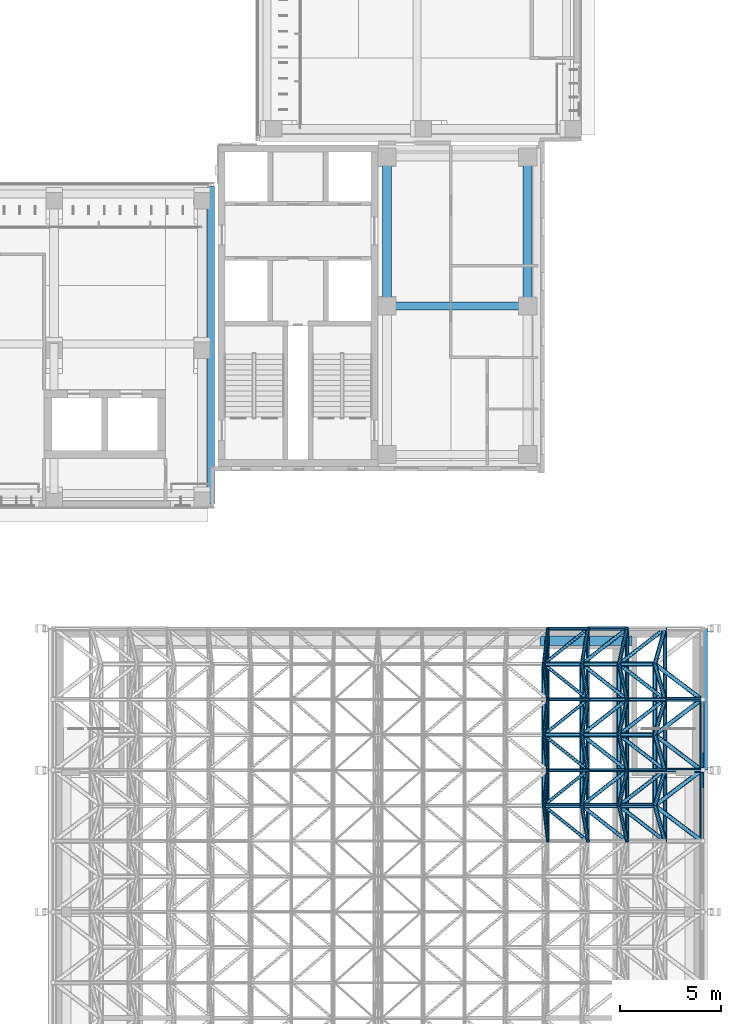
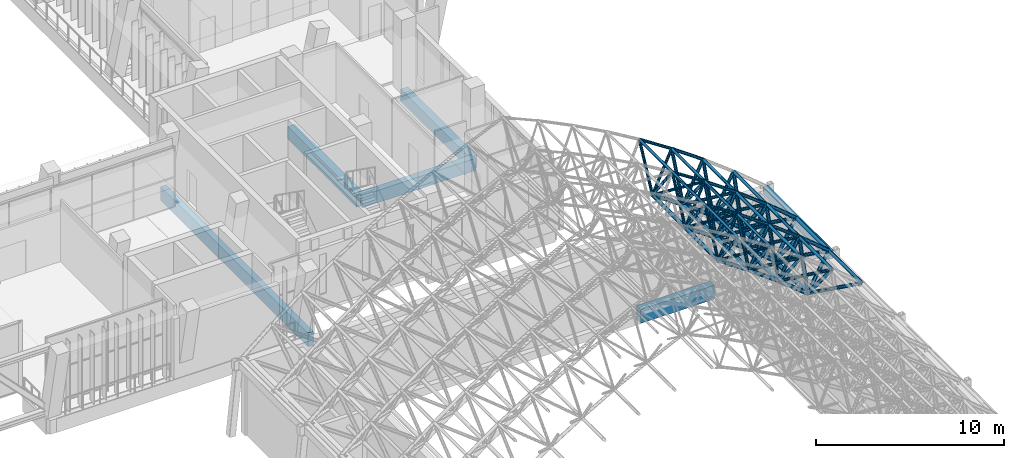
# One storey, part 57 of 141: 88 members, 6 beams.
"""IFC4 building model written with IfcOpenShell, lengths in metres."""

from ifc_helpers import new_model, si_unit, direction, frame, origin, origin_2d, place, context, subcontext, project, spatial, rectangle, hollow_rectangle, hollow_circle, extrude, material, material_profile, profile_set, type_object, element, save


model = new_model("IFC4")

# Units and contexts
model_context = context("Model", 3, precision=1e-05, world=origin(), true_north=direction((0.0, 1.0)))
body_context = subcontext(model_context, "Body", "Model", "MODEL_VIEW")
ifc_project = project(units=[si_unit("LENGTHUNIT", "METRE"), si_unit("AREAUNIT", "SQUARE_METRE"), si_unit("VOLUMEUNIT", "CUBIC_METRE"), si_unit("PLANEANGLEUNIT", "RADIAN"), si_unit("MASSUNIT", "GRAM", prefix="KILO")], contexts=[model_context])

# Site, building, storey
site_placement = place(None, origin())
site = spatial("IfcSite", under=ifc_project, at=site_placement, CompositionType="ELEMENT")
building_placement = place(site_placement, origin())
building = spatial("IfcBuilding", under=site, at=building_placement, Name="Lantern Court Media Centre", CompositionType="ELEMENT")
storey_placement = place(building_placement, frame((0.0, 0.0, 9.60009765625)))
storey = spatial("IfcBuildingStorey", under=building, at=storey_placement, Name="L02", CompositionType="ELEMENT", Elevation=9.60009765625)

# Beams
ifc_material_1 = material(Name="Concrete C35", Category="concrete")
ifc_material_profile_1 = material_profile(ifc_material_1, rectangle(XDim=0.35009765625, YDim=0.89990234375, at=origin_2d()), Name="RC 350x900")
ifc_profile_set_1 = profile_set([ifc_material_profile_1], Name="Concrete C35")
beam_type_1 = type_object("IfcBeamType", Name="RC BEAM 350x900", PredefinedType="BEAM", material=ifc_profile_set_1)
beam_1_placement = place(storey_placement, frame((79.75, 46.14990234375, -0.4501953125), z_axis=(0.0, 1.0, 0.0), x_axis=(-1.0, 0.0, 0.0)))
element("IfcBeam", 1, at=beam_1_placement, inside=storey, type_object=beam_type_1, Name="EB-S-L02-D", PredefinedType="BEAM", context=body_context, shape_type="SweptSolid", body=[
    extrude(rectangle(XDim=0.35009765625, YDim=0.89990234375, at=origin_2d()), origin(), (0.0, 0.0, 1.0), 15.7001953125),
])
ifc_material_profile_2 = material_profile(ifc_material_1, rectangle(XDim=0.39990234375, YDim=0.800048828125, at=origin_2d()), Name="RC 400x800")
ifc_profile_set_2 = profile_set([ifc_material_profile_2], Name="Concrete C35")
beam_type_2 = type_object("IfcBeamType", Name="RC BEAM 400x800", PredefinedType="BEAM", material=ifc_profile_set_2)
beam_2_placement = place(storey_placement, frame((88.449951171875, 55.949951171875, -0.400146484375), z_axis=(1.0, 0.0, 0.0), x_axis=(0.0, 1.0, 0.0)))
element("IfcBeam", 2, at=beam_2_placement, inside=storey, type_object=beam_type_2, Name="BB-SE-L02-Y0-55", PredefinedType="BEAM", context=body_context, shape_type="SweptSolid", body=[
    extrude(rectangle(XDim=0.39990234375, YDim=0.800048828125, at=origin_2d()), origin(), (0.0, 0.0, 1.0), 6.949951171875),
])
ifc_material_profile_3 = material_profile(ifc_material_1, rectangle(XDim=0.449951171875, YDim=0.800048828125, at=origin_2d()), Name="RC 450x800")
ifc_profile_set_3 = profile_set([ifc_material_profile_3], Name="Concrete C35")
beam_type_3 = type_object("IfcBeamType", Name="RC BEAM 450x800", PredefinedType="BEAM", material=ifc_profile_set_3)
for number, where, z_axis, x_axis, name in (
    (3, (88.449951171875, 55.949951171875, -0.400146484375), (0.0, 1.0, 0.0), (-1.0, 0.0, 0.0), "BB-SE-L02-X1-88"),
    (4, (95.39990234375, 55.949951171875, -0.400146484375), (0.0, 1.0, 0.0), (-1.0, 0.0, 0.0), "BB-SE-L02-X1-95"),
):
    element("IfcBeam", number, at=place(storey_placement, frame(where, z_axis=z_axis, x_axis=x_axis)), inside=storey, type_object=beam_type_3, Name=name, PredefinedType="BEAM", context=body_context, shape_type="SweptSolid", body=[
        extrude(rectangle(XDim=0.449951171875, YDim=0.800048828125, at=origin_2d()), origin(), (0.0, 0.0, 1.0), 7.35009765625),
    ])
ifc_material_profile_4 = material_profile(ifc_material_1, rectangle(XDim=0.449951171875, YDim=0.89990234375, at=origin_2d()), Name="RC 450x900")
ifc_profile_set_4 = profile_set([ifc_material_profile_4], Name="Concrete C35")
beam_type_4 = type_object("IfcBeamType", Name="RC BEAM 450x900", PredefinedType="BEAM", material=ifc_profile_set_4)
beam_3_placement = place(storey_placement, frame((96.0, 39.39990234375, -0.4501953125), z_axis=(1.0, 0.0, 0.0), x_axis=(0.0, 1.0, 0.0)))
element("IfcBeam", 5, at=beam_3_placement, inside=storey, type_object=beam_type_4, Name="HB-V2-L02-FX6-3", PredefinedType="BEAM", context=body_context, shape_type="SweptSolid", body=[
    extrude(rectangle(XDim=0.449951171875, YDim=0.89990234375, at=origin_2d()), origin(), (0.0, 0.0, 1.0), 4.550048828125),
])

# Members
ifc_material_2 = material(Name="Steel S355J2 (EN 10025-2)", Category="steel")
ifc_material_profile_5 = material_profile(ifc_material_2, hollow_circle(Radius=0.109619140625, WallThickness=0.010009765625, at=origin_2d()), Name="Studio Hall bottom CHS 219.1x10")
ifc_profile_set_5 = profile_set([ifc_material_profile_5], Name="Steel S355J2 (EN 10025-2)")
member_type_1 = type_object("IfcMemberType", Name="Studio Hall bottom CHS 219.1x10", PredefinedType="CHORD", material=ifc_profile_set_5)
for number, where, z_axis, x_axis, name in (
    (6, (96.19091796875, 31.25, 7.953125), (0.0, 1.0, 0.0), (-1.0, 0.0, 0.0), "Studio Hall bottom chord 13-10"),
    (7, (96.19091796875, 34.75, 7.953125), (0.0, 1.0, 0.0), (-1.0, 0.0, 0.0), "Studio Hall bottom chord 13-11"),
):
    element("IfcMember", number, at=place(storey_placement, frame(where, z_axis=z_axis, x_axis=x_axis)), inside=storey, type_object=member_type_1, Name=name, PredefinedType="CHORD", context=body_context, shape_type="SweptSolid", body=[
        extrude(hollow_circle(Radius=0.109619140625, WallThickness=0.010009765625, at=origin_2d()), origin(), (0.0, 0.0, 1.0), 3.5),
    ])
ifc_material_profile_6 = material_profile(ifc_material_2, hollow_circle(Radius=0.122314453125, WallThickness=0.012451171875, at=origin_2d()), Name="Studio Hall bottom CHS 244.5x12.5")
ifc_profile_set_6 = profile_set([ifc_material_profile_6], Name="Steel S355J2 (EN 10025-2)")
member_type_2 = type_object("IfcMemberType", Name="Studio Hall bottom CHS 244.5x12.5", PredefinedType="CHORD", material=ifc_profile_set_6)
for number, where, z_axis, x_axis, name in (
    (8, (98.076171875, 31.25, 6.66845703125), (0.0, 1.0, 0.0), (-1.0, 0.0, 0.0), "Studio Hall bottom chord 14-10"),
    (9, (98.076171875, 34.75, 6.66845703125), (0.0, 1.0, 0.0), (-1.0, 0.0, 0.0), "Studio Hall bottom chord 14-11"),
):
    element("IfcMember", number, at=place(storey_placement, frame(where, z_axis=z_axis, x_axis=x_axis)), inside=storey, type_object=member_type_2, Name=name, PredefinedType="CHORD", context=body_context, shape_type="SweptSolid", body=[
        extrude(hollow_circle(Radius=0.122314453125, WallThickness=0.012451171875, at=origin_2d()), origin(), (0.0, 0.0, 1.0), 3.5),
    ])
for number, where, z_axis, x_axis, name in (
    (10, (96.19091796875, 31.25, 7.953125), (0.826376743552, 0.0, -0.563117641099), (0.0, 1.0, 0.0), "Studio Hall bottom chord 13-10 across"),
    (11, (96.19091796875, 34.75, 7.953125), (0.826376743552, 0.0, -0.563117641099), (0.0, 1.0, 0.0), "Studio Hall bottom chord 13-11 across"),
    (12, (96.19091796875, 38.25, 7.953125), (0.826376743552, 0.0, -0.563117641099), (0.0, 1.0, 0.0), "Studio Hall bottom chord 13-12 across"),
):
    element("IfcMember", number, at=place(storey_placement, frame(where, z_axis=z_axis, x_axis=x_axis)), inside=storey, type_object=member_type_2, Name=name, PredefinedType="CHORD", context=body_context, shape_type="SweptSolid", body=[
        extrude(hollow_circle(Radius=0.122314453125, WallThickness=0.012451171875, at=origin_2d()), origin(), (0.0, 0.0, 1.0), 2.28125),
    ])
ifc_material_profile_7 = material_profile(ifc_material_2, hollow_circle(Radius=0.122314453125, WallThickness=0.01611328125, at=origin_2d()), Name="Studio Hall bottom CHS 244.5x16")
ifc_profile_set_7 = profile_set([ifc_material_profile_7], Name="Steel S355J2 (EN 10025-2)")
member_type_3 = type_object("IfcMemberType", Name="Studio Hall bottom CHS 244.5x16", PredefinedType="CHORD", material=ifc_profile_set_7)
for number, where, z_axis, x_axis, name in (
    (13, (99.909423828125, 31.25, 5.310546875), (0.0, 1.0, 0.0), (-1.0, 0.0, 0.0), "Studio Hall bottom chord 15-10"),
    (14, (99.909423828125, 34.75, 5.310546875), (0.0, 1.0, 0.0), (-1.0, 0.0, 0.0), "Studio Hall bottom chord 15-11"),
):
    element("IfcMember", number, at=place(storey_placement, frame(where, z_axis=z_axis, x_axis=x_axis)), inside=storey, type_object=member_type_3, Name=name, PredefinedType="CHORD", context=body_context, shape_type="SweptSolid", body=[
        extrude(hollow_circle(Radius=0.122314453125, WallThickness=0.01611328125, at=origin_2d()), origin(), (0.0, 0.0, 1.0), 3.5),
    ])
for number, where, z_axis, x_axis, name in (
    (15, (98.076171875, 31.25, 6.66845703125), (0.803568567589, 0.0, -0.59521219509), (0.0, 1.0, 0.0), "Studio Hall bottom chord 14-10 across"),
    (16, (98.076171875, 34.75, 6.66845703125), (0.803568567589, 0.0, -0.59521219509), (0.0, 1.0, 0.0), "Studio Hall bottom chord 14-11 across"),
    (17, (98.076171875, 38.25, 6.66845703125), (0.803568567589, 0.0, -0.59521219509), (0.0, 1.0, 0.0), "Studio Hall bottom chord 14-12 across"),
):
    element("IfcMember", number, at=place(storey_placement, frame(where, z_axis=z_axis, x_axis=x_axis)), inside=storey, type_object=member_type_3, Name=name, PredefinedType="CHORD", context=body_context, shape_type="SweptSolid", body=[
        extrude(hollow_circle(Radius=0.122314453125, WallThickness=0.01611328125, at=origin_2d()), origin(), (0.0, 0.0, 1.0), 2.281494140625),
    ])
ifc_material_profile_8 = material_profile(ifc_material_2, hollow_circle(Radius=0.122314453125, WallThickness=0.02001953125, at=origin_2d()), Name="Studio Hall bottom CHS 244.5x20")
ifc_profile_set_8 = profile_set([ifc_material_profile_8], Name="Steel S355J2 (EN 10025-2)")
member_type_4 = type_object("IfcMemberType", Name="Studio Hall bottom CHS 244.5x20", PredefinedType="CHORD", material=ifc_profile_set_8)
for number, where, z_axis, x_axis, name in (
    (18, (101.6875, 31.25, 3.881591796875), (0.0, 1.0, 0.0), (-1.0, 0.0, 0.0), "Studio Hall bottom chord 16-10"),
    (19, (101.6875, 34.75, 3.881591796875), (0.0, 1.0, 0.0), (-1.0, 0.0, 0.0), "Studio Hall bottom chord 16-11"),
):
    element("IfcMember", number, at=place(storey_placement, frame(where, z_axis=z_axis, x_axis=x_axis)), inside=storey, type_object=member_type_4, Name=name, PredefinedType="CHORD", context=body_context, shape_type="SweptSolid", body=[
        extrude(hollow_circle(Radius=0.122314453125, WallThickness=0.02001953125, at=origin_2d()), origin(), (0.0, 0.0, 1.0), 3.5),
    ])
for number, where, z_axis, x_axis, name in (
    (20, (99.909423828125, 31.25, 5.310546875), (0.779478138425, 0.0, -0.626429430757), (0.0, 1.0, 0.0), "Studio Hall bottom chord 15-10 across"),
    (21, (99.909423828125, 34.75, 5.310546875), (0.779478138425, 0.0, -0.626429430757), (0.0, 1.0, 0.0), "Studio Hall bottom chord 15-11 across"),
    (22, (99.909423828125, 38.25, 5.310546875), (0.779478138425, 0.0, -0.626429430757), (0.0, 1.0, 0.0), "Studio Hall bottom chord 15-12 across"),
):
    element("IfcMember", number, at=place(storey_placement, frame(where, z_axis=z_axis, x_axis=x_axis)), inside=storey, type_object=member_type_4, Name=name, PredefinedType="CHORD", context=body_context, shape_type="SweptSolid", body=[
        extrude(hollow_circle(Radius=0.122314453125, WallThickness=0.02001953125, at=origin_2d()), origin(), (0.0, 0.0, 1.0), 2.281005859375),
    ])
ifc_material_profile_9 = material_profile(ifc_material_2, hollow_circle(Radius=0.084228515625, WallThickness=0.008056640625, at=origin_2d()), Name="Studio Hall diagonal CHS 168.3x8")
ifc_profile_set_9 = profile_set([ifc_material_profile_9], Name="Steel S355J2 (EN 10025-2)")
member_type_5 = type_object("IfcMemberType", Name="Studio Hall diagonal CHS 168.3x8", PredefinedType="BRACE", material=ifc_profile_set_9)
for number, where, z_axis, x_axis, name in (
    (23, (96.19091796875, 31.25, 7.953125), (0.067256187735, -0.575289204878, 0.815180308865), (0.993235466132, 0.116117650756, 0.0), "Studio Hall diagonal 13-10-1"),
    (24, (96.19091796875, 31.25, 7.953125), (0.719205791884, -0.57530042587, 0.38957983638), (0.624652537065, 0.780902815937, 0.0), "Studio Hall diagonal 13-10-2"),
    (25, (96.19091796875, 31.25, 7.953125), (0.719205791884, 0.57530042587, 0.38957983638), (-0.624652537065, 0.780902815937, 0.0), "Studio Hall diagonal 13-10-3"),
    (26, (96.19091796875, 31.25, 7.953125), (0.067256187735, 0.575289204878, 0.815180308865), (-0.993235466132, 0.116117650756, 0.0), "Studio Hall diagonal 13-10-4"),
    (27, (96.19091796875, 34.75, 7.953125), (0.067256187735, -0.575289204878, 0.815180308865), (0.993235466132, 0.116117650756, 0.0), "Studio Hall diagonal 13-11-1"),
    (28, (96.19091796875, 34.75, 7.953125), (0.719205791884, -0.57530042587, 0.38957983638), (0.624652537065, 0.780902815937, 0.0), "Studio Hall diagonal 13-11-2"),
    (29, (96.19091796875, 34.75, 7.953125), (0.719205791884, 0.57530042587, 0.38957983638), (-0.624652537065, 0.780902815937, 0.0), "Studio Hall diagonal 13-11-3"),
    (30, (96.19091796875, 34.75, 7.953125), (0.067256187735, 0.575289204878, 0.815180308865), (-0.993235466132, 0.116117650756, 0.0), "Studio Hall diagonal 13-11-4"),
    (31, (96.19091796875, 38.25, 7.953125), (0.067256187735, -0.575289204878, 0.815180308865), (0.993235466132, 0.116117650756, 0.0), "Studio Hall diagonal 13-12-1"),
    (32, (96.19091796875, 38.25, 7.953125), (0.719205791884, -0.57530042587, 0.38957983638), (0.624652537065, 0.780902815937, 0.0), "Studio Hall diagonal 13-12-2"),
    (33, (96.19091796875, 38.25, 7.953125), (0.719205791884, 0.57530042587, 0.38957983638), (-0.624652537065, 0.780902815937, 0.0), "Studio Hall diagonal 13-12-3"),
    (34, (96.19091796875, 38.25, 7.953125), (0.067256187735, 0.575289204878, 0.815180308865), (-0.993235466132, 0.116117650756, 0.0), "Studio Hall diagonal 13-12-4"),
):
    element("IfcMember", number, at=place(storey_placement, frame(where, z_axis=z_axis, x_axis=x_axis)), inside=storey, type_object=member_type_5, Name=name, PredefinedType="BRACE", context=body_context, shape_type="SweptSolid", body=[
        extrude(hollow_circle(Radius=0.084228515625, WallThickness=0.008056640625, at=origin_2d()), origin(), (0.0, 0.0, 1.0), 3.0419921875),
    ])
ifc_material_profile_10 = material_profile(ifc_material_2, hollow_circle(Radius=0.096923828125, WallThickness=0.010009765625, at=origin_2d()), Name="Studio Hall diagonal CHS 193.7x10")
ifc_profile_set_10 = profile_set([ifc_material_profile_10], Name="Steel S355J2 (EN 10025-2)")
member_type_6 = type_object("IfcMemberType", Name="Studio Hall diagonal CHS 193.7x10", PredefinedType="BRACE", material=ifc_profile_set_10)
for number, where, z_axis, x_axis, name in (
    (35, (99.909423828125, 31.25, 5.310546875), (0.13137534314, -0.575258680284, 0.807352444706), (0.97489985117, 0.222643841569, 0.0), "Studio Hall diagonal 15-10-1"),
    (36, (99.909423828125, 31.25, 5.310546875), (0.747676961141, -0.575284291269, 0.331703400644), (0.609809429153, 0.792548080634, 0.0), "Studio Hall diagonal 15-10-2"),
    (37, (99.909423828125, 31.25, 5.310546875), (0.747676961141, 0.575284291269, 0.331703400644), (-0.609809429153, 0.792548080634, 0.0), "Studio Hall diagonal 15-10-3"),
    (38, (99.909423828125, 31.25, 5.310546875), (0.13137534314, 0.575258680284, 0.807352444706), (-0.97489985117, 0.222643841569, 0.0), "Studio Hall diagonal 15-10-4"),
    (39, (99.909423828125, 34.75, 5.310546875), (0.13137534314, -0.575258680284, 0.807352444706), (0.97489985117, 0.222643841569, 0.0), "Studio Hall diagonal 15-11-1"),
    (40, (99.909423828125, 34.75, 5.310546875), (0.747676961141, -0.575284291269, 0.331703400644), (0.609809429153, 0.792548080634, 0.0), "Studio Hall diagonal 15-11-2"),
    (41, (99.909423828125, 34.75, 5.310546875), (0.747676961141, 0.575284291269, 0.331703400644), (-0.609809429153, 0.792548080634, 0.0), "Studio Hall diagonal 15-11-3"),
    (42, (99.909423828125, 34.75, 5.310546875), (0.13137534314, 0.575258680284, 0.807352444706), (-0.97489985117, 0.222643841569, 0.0), "Studio Hall diagonal 15-11-4"),
    (43, (99.909423828125, 38.25, 5.310546875), (0.13137534314, -0.575258680284, 0.807352444706), (0.97489985117, 0.222643841569, 0.0), "Studio Hall diagonal 15-12-1"),
    (44, (99.909423828125, 38.25, 5.310546875), (0.747676961141, -0.575284291269, 0.331703400644), (0.609809429153, 0.792548080634, 0.0), "Studio Hall diagonal 15-12-2"),
    (45, (99.909423828125, 38.25, 5.310546875), (0.747676961141, 0.575284291269, 0.331703400644), (-0.609809429153, 0.792548080634, 0.0), "Studio Hall diagonal 15-12-3"),
    (46, (99.909423828125, 38.25, 5.310546875), (0.13137534314, 0.575258680284, 0.807352444706), (-0.97489985117, 0.222643841569, 0.0), "Studio Hall diagonal 15-12-4"),
):
    element("IfcMember", number, at=place(storey_placement, frame(where, z_axis=z_axis, x_axis=x_axis)), inside=storey, type_object=member_type_6, Name=name, PredefinedType="BRACE", context=body_context, shape_type="SweptSolid", body=[
        extrude(hollow_circle(Radius=0.096923828125, WallThickness=0.010009765625, at=origin_2d()), origin(), (0.0, 0.0, 1.0), 3.0419921875),
    ])
ifc_material_profile_11 = material_profile(ifc_material_2, hollow_circle(Radius=0.096923828125, WallThickness=0.008056640625, at=origin_2d()), Name="Studio Hall diagonal CHS 193.7x8")
ifc_profile_set_11 = profile_set([ifc_material_profile_11], Name="Steel S355J2 (EN 10025-2)")
member_type_7 = type_object("IfcMemberType", Name="Studio Hall diagonal CHS 193.7x8", PredefinedType="BRACE", material=ifc_profile_set_11)
for number, where, z_axis, x_axis, name in (
    (47, (98.076171875, 31.25, 6.66845703125), (0.099439098635, -0.575286084759, 0.811885328323), (0.985387799185, 0.170325820758, 0.0), "Studio Hall diagonal 14-10-1"),
    (48, (98.076171875, 31.25, 6.66845703125), (0.734005385991, -0.57526247614, 0.360983624118), (0.616855729008, 0.787076241282, 0.0), "Studio Hall diagonal 14-10-2"),
    (49, (98.076171875, 31.25, 6.66845703125), (0.734005385991, 0.57526247614, 0.360983624118), (-0.616855729008, 0.787076241282, 0.0), "Studio Hall diagonal 14-10-3"),
    (50, (98.076171875, 31.25, 6.66845703125), (0.099439098635, 0.575286084759, 0.811885328323), (-0.985387799185, 0.170325820758, 0.0), "Studio Hall diagonal 14-10-4"),
    (51, (98.076171875, 34.75, 6.66845703125), (0.099439098635, -0.575286084759, 0.811885328323), (0.985387799185, 0.170325820758, 0.0), "Studio Hall diagonal 14-11-1"),
    (52, (98.076171875, 34.75, 6.66845703125), (0.734005385991, -0.57526247614, 0.360983624118), (0.616855729008, 0.787076241282, 0.0), "Studio Hall diagonal 14-11-2"),
    (53, (98.076171875, 34.75, 6.66845703125), (0.734005385991, 0.57526247614, 0.360983624118), (-0.616855729008, 0.787076241282, 0.0), "Studio Hall diagonal 14-11-3"),
    (54, (98.076171875, 34.75, 6.66845703125), (0.099439098635, 0.575286084759, 0.811885328323), (-0.985387799185, 0.170325820758, 0.0), "Studio Hall diagonal 14-11-4"),
    (55, (98.076171875, 38.25, 6.66845703125), (0.099439098635, -0.575286084759, 0.811885328323), (0.985387799185, 0.170325820758, 0.0), "Studio Hall diagonal 14-12-1"),
    (56, (98.076171875, 38.25, 6.66845703125), (0.734005385991, -0.57526247614, 0.360983624118), (0.616855729008, 0.787076241282, 0.0), "Studio Hall diagonal 14-12-2"),
    (57, (98.076171875, 38.25, 6.66845703125), (0.734005385991, 0.57526247614, 0.360983624118), (-0.616855729008, 0.787076241282, 0.0), "Studio Hall diagonal 14-12-3"),
    (58, (98.076171875, 38.25, 6.66845703125), (0.099439098635, 0.575286084759, 0.811885328323), (-0.985387799185, 0.170325820758, 0.0), "Studio Hall diagonal 14-12-4"),
):
    element("IfcMember", number, at=place(storey_placement, frame(where, z_axis=z_axis, x_axis=x_axis)), inside=storey, type_object=member_type_7, Name=name, PredefinedType="BRACE", context=body_context, shape_type="SweptSolid", body=[
        extrude(hollow_circle(Radius=0.096923828125, WallThickness=0.008056640625, at=origin_2d()), origin(), (0.0, 0.0, 1.0), 3.0419921875),
    ])
ifc_material_profile_12 = material_profile(ifc_material_2, hollow_circle(Radius=0.109619140625, WallThickness=0.010009765625, at=origin_2d()), Name="Studio Hall diagonal CHS 219.1x10")
ifc_profile_set_12 = profile_set([ifc_material_profile_12], Name="Steel S355J2 (EN 10025-2)")
member_type_8 = type_object("IfcMemberType", Name="Studio Hall diagonal CHS 219.1x10", PredefinedType="BRACE", material=ifc_profile_set_12)
member_1_placement = place(storey_placement, frame((101.6875, 31.25, 3.881591796875), z_axis=(0.163171626005, -0.575314419679, 0.801491321835), x_axis=(0.962053941871, 0.2728593281, 0.0)))
element("IfcMember", 59, at=member_1_placement, inside=storey, type_object=member_type_8, Name="Studio Hall diagonal 16-10-1", PredefinedType="BRACE", context=body_context, shape_type="SweptSolid", body=[
    extrude(hollow_circle(Radius=0.109619140625, WallThickness=0.010009765625, at=origin_2d()), origin(), (0.0, 0.0, 1.0), 3.041748046875),
])
for number, where, z_axis, x_axis, name in (
    (60, (101.6875, 31.25, 3.881591796875), (0.760210907984, -0.575294741177, 0.301853169862), (0.603442670186, 0.797406385602, 0.0), "Studio Hall diagonal 16-10-2"),
    (61, (101.6875, 31.25, 3.881591796875), (0.760210907984, 0.575294741177, 0.301853169862), (-0.603442670186, 0.797406385602, 0.0), "Studio Hall diagonal 16-10-3"),
):
    element("IfcMember", number, at=place(storey_placement, frame(where, z_axis=z_axis, x_axis=x_axis)), inside=storey, type_object=member_type_8, Name=name, PredefinedType="BRACE", context=body_context, shape_type="SweptSolid", body=[
        extrude(hollow_circle(Radius=0.109619140625, WallThickness=0.010009765625, at=origin_2d()), origin(), (0.0, 0.0, 1.0), 3.0419921875),
    ])
for number, where, z_axis, x_axis, name in (
    (62, (101.6875, 31.25, 3.881591796875), (0.163171626005, 0.575314419679, 0.801491321835), (-0.962053941871, 0.2728593281, 0.0), "Studio Hall diagonal 16-10-4"),
    (63, (101.6875, 34.75, 3.881591796875), (0.163171626005, -0.575314419679, 0.801491321835), (0.962053941871, 0.2728593281, 0.0), "Studio Hall diagonal 16-11-1"),
):
    element("IfcMember", number, at=place(storey_placement, frame(where, z_axis=z_axis, x_axis=x_axis)), inside=storey, type_object=member_type_8, Name=name, PredefinedType="BRACE", context=body_context, shape_type="SweptSolid", body=[
        extrude(hollow_circle(Radius=0.109619140625, WallThickness=0.010009765625, at=origin_2d()), origin(), (0.0, 0.0, 1.0), 3.041748046875),
    ])
for number, where, z_axis, x_axis, name in (
    (64, (101.6875, 34.75, 3.881591796875), (0.760210907984, -0.575294741177, 0.301853169862), (0.603442670186, 0.797406385602, 0.0), "Studio Hall diagonal 16-11-2"),
    (65, (101.6875, 34.75, 3.881591796875), (0.760210907984, 0.575294741177, 0.301853169862), (-0.603442670186, 0.797406385602, 0.0), "Studio Hall diagonal 16-11-3"),
):
    element("IfcMember", number, at=place(storey_placement, frame(where, z_axis=z_axis, x_axis=x_axis)), inside=storey, type_object=member_type_8, Name=name, PredefinedType="BRACE", context=body_context, shape_type="SweptSolid", body=[
        extrude(hollow_circle(Radius=0.109619140625, WallThickness=0.010009765625, at=origin_2d()), origin(), (0.0, 0.0, 1.0), 3.0419921875),
    ])
for number, where, z_axis, x_axis, name in (
    (66, (101.6875, 34.75, 3.881591796875), (0.163171626005, 0.575314419679, 0.801491321835), (-0.962053941871, 0.2728593281, 0.0), "Studio Hall diagonal 16-11-4"),
    (67, (101.6875, 38.25, 3.881591796875), (0.163171626005, -0.575314419679, 0.801491321835), (0.962053941871, 0.2728593281, 0.0), "Studio Hall diagonal 16-12-1"),
):
    element("IfcMember", number, at=place(storey_placement, frame(where, z_axis=z_axis, x_axis=x_axis)), inside=storey, type_object=member_type_8, Name=name, PredefinedType="BRACE", context=body_context, shape_type="SweptSolid", body=[
        extrude(hollow_circle(Radius=0.109619140625, WallThickness=0.010009765625, at=origin_2d()), origin(), (0.0, 0.0, 1.0), 3.041748046875),
    ])
member_2_placement = place(storey_placement, frame((101.6875, 38.25, 3.881591796875), z_axis=(0.760210907984, -0.575294741177, 0.301853169862), x_axis=(0.603442670186, 0.797406385602, 0.0)))
element("IfcMember", 68, at=member_2_placement, inside=storey, type_object=member_type_8, Name="Studio Hall diagonal 16-12-2", PredefinedType="BRACE", context=body_context, shape_type="SweptSolid", body=[
    extrude(hollow_circle(Radius=0.109619140625, WallThickness=0.010009765625, at=origin_2d()), origin(), (0.0, 0.0, 1.0), 3.0419921875),
])
member_3_placement = place(storey_placement, frame((101.6875, 38.25, 3.881591796875), z_axis=(0.163171626005, 0.575314419679, 0.801491321835), x_axis=(-0.962053941871, 0.2728593281, 0.0)))
element("IfcMember", 69, at=member_3_placement, inside=storey, type_object=member_type_8, Name="Studio Hall diagonal 16-12-4", PredefinedType="BRACE", context=body_context, shape_type="SweptSolid", body=[
    extrude(hollow_circle(Radius=0.109619140625, WallThickness=0.010009765625, at=origin_2d()), origin(), (0.0, 0.0, 1.0), 3.041748046875),
])

# Beam
ifc_material_profile_13 = material_profile(ifc_material_2, hollow_rectangle(XDim=0.300048828125, YDim=0.5, WallThickness=0.01611328125, InnerFilletRadius=0.01611328125, OuterFilletRadius=0.02392578125, at=origin_2d()), Name="Studio Hall edge girder RHS 500x300x16")
ifc_profile_set_13 = profile_set([ifc_material_profile_13], Name="Steel S355J2 (EN 10025-2)")
beam_type_5 = type_object("IfcBeamType", Name="Studio Hall edge girder RHS 500x300x16", PredefinedType="BEAM", material=ifc_profile_set_13)
beam_4_placement = place(storey_placement, frame((104.14990234375, 33.0, 4.449951171875), z_axis=(0.0, 1.0, 0.0), x_axis=(-1.0, 0.0, 0.0)))
element("IfcBeam", 70, at=beam_4_placement, inside=storey, type_object=beam_type_5, Name="Studio Hall edge girder east 6", PredefinedType="BEAM", context=body_context, shape_type="SweptSolid", body=[
    extrude(hollow_rectangle(XDim=0.300048828125, YDim=0.5, WallThickness=0.01611328125, InnerFilletRadius=0.01611328125, OuterFilletRadius=0.02392578125, at=origin_2d()), origin(), (0.0, 0.0, 1.0), 7.0),
])

# Members
ifc_material_profile_14 = material_profile(ifc_material_2, hollow_circle(Radius=0.0888671875, WallThickness=0.010009765625, at=origin_2d()), Name="Studio Hall top CHS 177.8x10")
ifc_profile_set_14 = profile_set([ifc_material_profile_14], Name="Steel S355J2 (EN 10025-2)")
member_type_9 = type_object("IfcMemberType", Name="Studio Hall top CHS 177.8x10", PredefinedType="CHORD", material=ifc_profile_set_14)
for number, where, z_axis, x_axis, name in (
    (71, (98.378662109375, 29.5, 9.13818359375), (0.0, 1.0, 0.0), (-1.0, 0.0, 0.0), "Studio Hall top chord 14-10"),
    (72, (98.378662109375, 33.0, 9.13818359375), (0.0, 1.0, 0.0), (-1.0, 0.0, 0.0), "Studio Hall top chord 14-11"),
    (73, (98.378662109375, 36.5, 9.13818359375), (0.0, 1.0, 0.0), (-1.0, 0.0, 0.0), "Studio Hall top chord 14-12"),
):
    element("IfcMember", number, at=place(storey_placement, frame(where, z_axis=z_axis, x_axis=x_axis)), inside=storey, type_object=member_type_9, Name=name, PredefinedType="CHORD", context=body_context, shape_type="SweptSolid", body=[
        extrude(hollow_circle(Radius=0.0888671875, WallThickness=0.010009765625, at=origin_2d()), origin(), (0.0, 0.0, 1.0), 3.5),
    ])
for number, where, z_axis, x_axis, name in (
    (74, (96.3955078125, 33.0, 10.432861328125), (0.837356212506, 0.0, -0.546657638178), (0.0, 1.0, 0.0), "Studio Hall top chord 13-11 across"),
    (75, (96.3955078125, 36.5, 10.432861328125), (0.837356212506, 0.0, -0.546657638178), (0.0, 1.0, 0.0), "Studio Hall top chord 13-12 across"),
    (76, (96.3955078125, 40.0, 10.432861328125), (0.837356212506, 0.0, -0.546657638178), (0.0, 1.0, 0.0), "Studio Hall top chord 13-13 across"),
):
    element("IfcMember", number, at=place(storey_placement, frame(where, z_axis=z_axis, x_axis=x_axis)), inside=storey, type_object=member_type_9, Name=name, PredefinedType="CHORD", context=body_context, shape_type="SweptSolid", body=[
        extrude(hollow_circle(Radius=0.0888671875, WallThickness=0.010009765625, at=origin_2d()), origin(), (0.0, 0.0, 1.0), 2.368408203125),
    ])
ifc_material_profile_15 = material_profile(ifc_material_2, hollow_circle(Radius=0.0888671875, WallThickness=0.008056640625, at=origin_2d()), Name="Studio Hall top CHS 177.8x8")
ifc_profile_set_15 = profile_set([ifc_material_profile_15], Name="Steel S355J2 (EN 10025-2)")
member_type_10 = type_object("IfcMemberType", Name="Studio Hall top CHS 177.8x8", PredefinedType="CHORD", material=ifc_profile_set_15)
for number, where, z_axis, x_axis, name in (
    (77, (96.3955078125, 29.5, 10.432861328125), (0.0, 1.0, 0.0), (-1.0, 0.0, 0.0), "Studio Hall top chord 13-10"),
    (78, (96.3955078125, 33.0, 10.432861328125), (0.0, 1.0, 0.0), (-1.0, 0.0, 0.0), "Studio Hall top chord 13-11"),
    (79, (96.3955078125, 36.5, 10.432861328125), (0.0, 1.0, 0.0), (-1.0, 0.0, 0.0), "Studio Hall top chord 13-12"),
):
    element("IfcMember", number, at=place(storey_placement, frame(where, z_axis=z_axis, x_axis=x_axis)), inside=storey, type_object=member_type_10, Name=name, PredefinedType="CHORD", context=body_context, shape_type="SweptSolid", body=[
        extrude(hollow_circle(Radius=0.0888671875, WallThickness=0.008056640625, at=origin_2d()), origin(), (0.0, 0.0, 1.0), 3.5),
    ])
ifc_material_profile_16 = material_profile(ifc_material_2, hollow_circle(Radius=0.096923828125, WallThickness=0.010009765625, at=origin_2d()), Name="Studio Hall top CHS 193.7x10")
ifc_profile_set_16 = profile_set([ifc_material_profile_16], Name="Steel S355J2 (EN 10025-2)")
member_type_11 = type_object("IfcMemberType", Name="Studio Hall top CHS 193.7x10", PredefinedType="CHORD", material=ifc_profile_set_16)
for number, where, z_axis, x_axis, name in (
    (80, (100.30908203125, 29.5, 7.7666015625), (0.0, 1.0, 0.0), (-1.0, 0.0, 0.0), "Studio Hall top chord 15-10"),
    (81, (100.30908203125, 33.0, 7.7666015625), (0.0, 1.0, 0.0), (-1.0, 0.0, 0.0), "Studio Hall top chord 15-11"),
    (82, (100.30908203125, 36.5, 7.7666015625), (0.0, 1.0, 0.0), (-1.0, 0.0, 0.0), "Studio Hall top chord 15-12"),
):
    element("IfcMember", number, at=place(storey_placement, frame(where, z_axis=z_axis, x_axis=x_axis)), inside=storey, type_object=member_type_11, Name=name, PredefinedType="CHORD", context=body_context, shape_type="SweptSolid", body=[
        extrude(hollow_circle(Radius=0.096923828125, WallThickness=0.010009765625, at=origin_2d()), origin(), (0.0, 0.0, 1.0), 3.5),
    ])
for number, where, z_axis, x_axis, name in (
    (83, (98.378662109375, 33.0, 9.13818359375), (0.815186813221, 0.0, -0.579198117703), (0.0, 1.0, 0.0), "Studio Hall top chord 14-11 across"),
    (84, (98.378662109375, 36.5, 9.13818359375), (0.815186813221, 0.0, -0.579198117703), (0.0, 1.0, 0.0), "Studio Hall top chord 14-12 across"),
    (85, (98.378662109375, 40.0, 9.13818359375), (0.815186813221, 0.0, -0.579198117703), (0.0, 1.0, 0.0), "Studio Hall top chord 14-13 across"),
):
    element("IfcMember", number, at=place(storey_placement, frame(where, z_axis=z_axis, x_axis=x_axis)), inside=storey, type_object=member_type_11, Name=name, PredefinedType="CHORD", context=body_context, shape_type="SweptSolid", body=[
        extrude(hollow_circle(Radius=0.096923828125, WallThickness=0.010009765625, at=origin_2d()), origin(), (0.0, 0.0, 1.0), 2.3681640625),
    ])
ifc_material_profile_17 = material_profile(ifc_material_2, hollow_circle(Radius=0.096923828125, WallThickness=0.012451171875, at=origin_2d()), Name="Studio Hall top CHS 193.7x12.5")
ifc_profile_set_17 = profile_set([ifc_material_profile_17], Name="Steel S355J2 (EN 10025-2)")
member_type_12 = type_object("IfcMemberType", Name="Studio Hall top CHS 193.7x12.5", PredefinedType="CHORD", material=ifc_profile_set_17)
for number, where, z_axis, x_axis, name in (
    (86, (102.183837890625, 29.5, 6.319580078125), (0.0, 1.0, 0.0), (-1.0, 0.0, 0.0), "Studio Hall top chord 16-10"),
    (87, (102.183837890625, 33.0, 6.319580078125), (0.0, 1.0, 0.0), (-1.0, 0.0, 0.0), "Studio Hall top chord 16-11"),
    (88, (102.183837890625, 36.5, 6.319580078125), (0.0, 1.0, 0.0), (-1.0, 0.0, 0.0), "Studio Hall top chord 16-12"),
):
    element("IfcMember", number, at=place(storey_placement, frame(where, z_axis=z_axis, x_axis=x_axis)), inside=storey, type_object=member_type_12, Name=name, PredefinedType="CHORD", context=body_context, shape_type="SweptSolid", body=[
        extrude(hollow_circle(Radius=0.096923828125, WallThickness=0.012451171875, at=origin_2d()), origin(), (0.0, 0.0, 1.0), 3.5),
    ])
for number, where, z_axis, x_axis, name in (
    (89, (100.30908203125, 33.0, 7.7666015625), (0.791622688111, 0.0, -0.611010245141), (0.0, 1.0, 0.0), "Studio Hall top chord 15-11 across"),
    (90, (100.30908203125, 36.5, 7.7666015625), (0.791622688111, 0.0, -0.611010245141), (0.0, 1.0, 0.0), "Studio Hall top chord 15-12 across"),
):
    element("IfcMember", number, at=place(storey_placement, frame(where, z_axis=z_axis, x_axis=x_axis)), inside=storey, type_object=member_type_12, Name=name, PredefinedType="CHORD", context=body_context, shape_type="SweptSolid", body=[
        extrude(hollow_circle(Radius=0.096923828125, WallThickness=0.012451171875, at=origin_2d()), origin(), (0.0, 0.0, 1.0), 2.3681640625),
    ])
ifc_material_profile_18 = material_profile(ifc_material_2, hollow_circle(Radius=0.109619140625, WallThickness=0.012451171875, at=origin_2d()), Name="Studio Hall top CHS 219.1x12.5")
ifc_profile_set_18 = profile_set([ifc_material_profile_18], Name="Steel S355J2 (EN 10025-2)")
member_type_13 = type_object("IfcMemberType", Name="Studio Hall top CHS 219.1x12.5", PredefinedType="CHORD", material=ifc_profile_set_18)
for number, where, z_axis, x_axis, name in (
    (91, (104.0, 29.5, 4.7998046875), (0.0, 1.0, 0.0), (-1.0, 0.0, 0.0), "Studio Hall top chord 17-10"),
    (92, (104.0, 33.0, 4.7998046875), (0.0, 1.0, 0.0), (-1.0, 0.0, 0.0), "Studio Hall top chord 17-11"),
):
    element("IfcMember", number, at=place(storey_placement, frame(where, z_axis=z_axis, x_axis=x_axis)), inside=storey, type_object=member_type_13, Name=name, PredefinedType="CHORD", context=body_context, shape_type="SweptSolid", body=[
        extrude(hollow_circle(Radius=0.109619140625, WallThickness=0.012451171875, at=origin_2d()), origin(), (0.0, 0.0, 1.0), 3.5),
    ])
for number, where, z_axis, x_axis, name in (
    (93, (102.183837890625, 33.0, 6.319580078125), (0.766909881815, 0.0, -0.641754807675), (0.0, 1.0, 0.0), "Studio Hall top chord 16-11 across"),
    (94, (102.183837890625, 36.5, 6.319580078125), (0.766909881815, 0.0, -0.641754807675), (0.0, 1.0, 0.0), "Studio Hall top chord 16-12 across"),
):
    element("IfcMember", number, at=place(storey_placement, frame(where, z_axis=z_axis, x_axis=x_axis)), inside=storey, type_object=member_type_13, Name=name, PredefinedType="CHORD", context=body_context, shape_type="SweptSolid", body=[
        extrude(hollow_circle(Radius=0.109619140625, WallThickness=0.012451171875, at=origin_2d()), origin(), (0.0, 0.0, 1.0), 2.3681640625),
    ])

save(model, "model.ifc")
